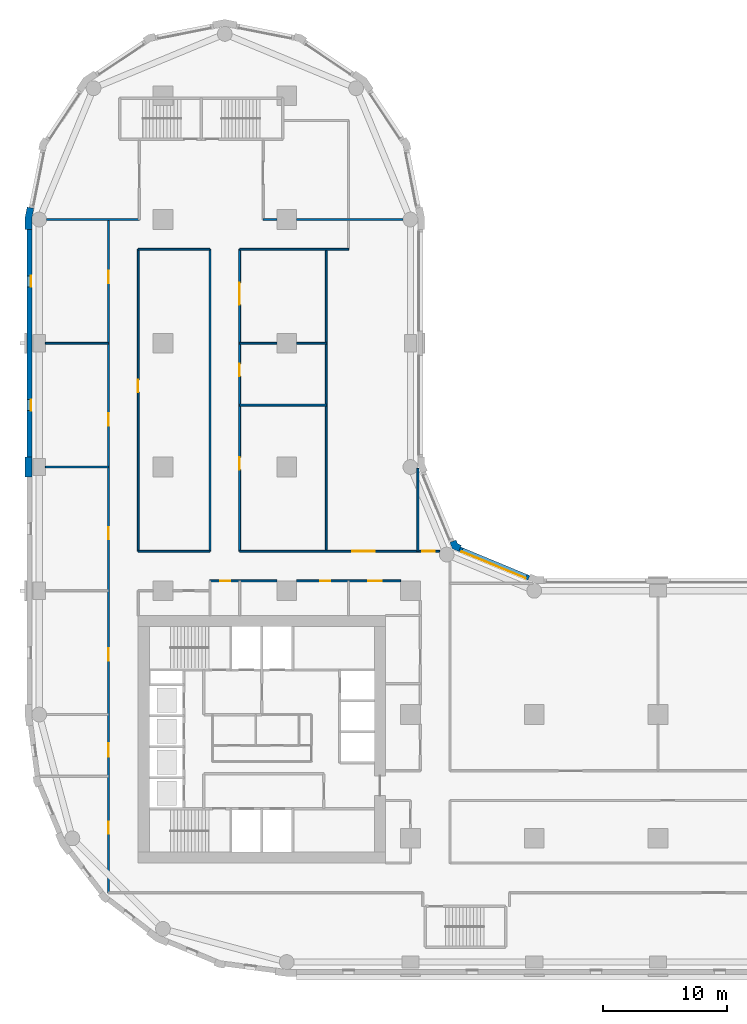
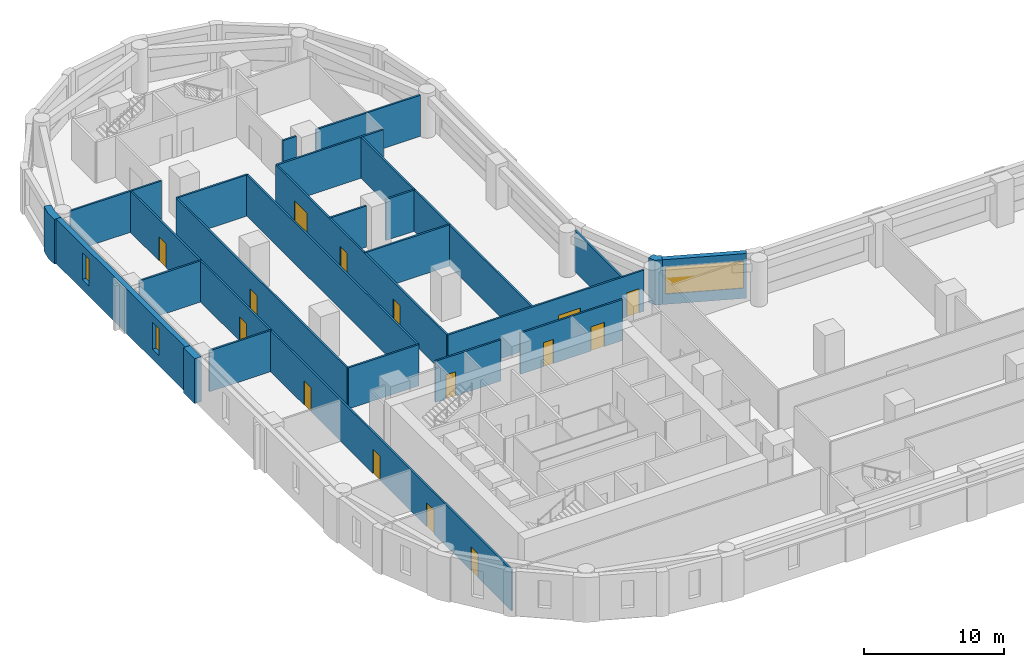
# One storey, part 5 of 10: 25 walls, 15 doors, 3 windows, 18 openings.
"""IFC4 building model written with IfcOpenShell, lengths in metres."""

from ifc_helpers import new_model, si_unit, direction, frame, frame_2d, origin, place, context, subcontext, project, spatial, polyline, rectangle, outline, extrude, material, layer, layer_set, type_object, element, fill, save


model = new_model("IFC4")

# Units and contexts
model_context = context("Model", 3, precision=1e-05, world=origin(), true_north=direction((0.0, 1.0)))
body_context = subcontext(model_context, "Body", "Model", "MODEL_VIEW")
ifc_project = project(units=[si_unit("LENGTHUNIT", "METRE"), si_unit("AREAUNIT", "SQUARE_METRE"), si_unit("VOLUMEUNIT", "CUBIC_METRE"), si_unit("PLANEANGLEUNIT", "RADIAN"), si_unit("MASSUNIT", "GRAM", prefix="KILO")], contexts=[model_context])

# Site, building, storey
site_placement = place(None, origin())
site = spatial("IfcSite", under=ifc_project, at=site_placement, CompositionType="ELEMENT")
building_placement = place(site_placement, origin())
building = spatial("IfcBuilding", under=site, at=building_placement, Name="Qaws Garden Tower", CompositionType="ELEMENT")
storey_placement = place(building_placement, frame((0.0, 0.0, 62.699951171875)))
storey = spatial("IfcBuildingStorey", under=building, at=storey_placement, Name="L15", CompositionType="ELEMENT", Elevation=62.699951171875)

# Wall, opening, window
ifc_material_1 = material(Name="Clay facing brick masonry", Category="masonry")
ifc_layer_1 = layer(ifc_material_1, 0.39990234375)
ifc_layer_set_1 = layer_set([ifc_layer_1], Name="Clay facing brick masonry")
wall_type_1 = type_object("IfcWallType", Name="Brick infill wall 400", PredefinedType="SOLIDWALL", material=ifc_layer_set_1)
wall_1_placement = place(storey_placement, frame((39.56689453125, 31.04541015625, 0.0), z_axis=(0.0, 0.0, 1.0), x_axis=(-0.923891000409, 0.382655745237, 0.0)))
wall_1 = element("IfcWall", 1, at=wall_1_placement, inside=storey, type_object=wall_type_1, Name="E-L15-infill-11", PredefinedType="SOLIDWALL", context=body_context, shape_type="SweptSolid", body=[
    extrude(rectangle(XDim=6.053466796875, YDim=0.39990234375, at=frame_2d((3.02685546875, 0.0))), origin(), (0.0, 0.0, 1.0), 3.900146484375),
])
opening_1_placement = place(wall_1_placement, frame((0.226806640625, 0.0, 0.89990234375)))
opening_1 = element("IfcOpeningElement", 2, at=opening_1_placement, cuts=wall_1, Name="Opening W04", PredefinedType="OPENING", context=body_context, shape_type="SweptSolid", body=[
    extrude(rectangle(XDim=5.60009765625, YDim=2.35009765625, at=frame_2d((2.800048828125, 1.175048828125))), frame((0.0, 0.2099609375, 0.0), z_axis=(0.0, -1.0, 0.0), x_axis=(1.0, 0.0, 0.0)), (0.0, 0.0, 1.0), 0.419921875),
])
ifc_material_2 = material(Name="Aluminium framed window, clear glazing", Category="aluminium")
window_type_1 = type_object("IfcWindowType", Name="Ribbon window 5600 x 2350", PartitioningType="DOUBLE_PANEL_VERTICAL", PredefinedType="WINDOW", material=ifc_material_2)
window_1_placement = place(opening_1_placement, origin())
window_1 = element("IfcWindow", 3, at=window_1_placement, inside=storey, type_object=window_type_1, Name="E-L15-window-11-0", OverallHeight=2.35009765625, OverallWidth=5.60009765625, PartitioningType="SINGLE_PANEL", PredefinedType="WINDOW", context=body_context, shape_type="SweptSolid", body=[
    extrude(rectangle(XDim=5.60009765625, YDim=2.35009765625, at=frame_2d((2.800048828125, 1.175048828125))), frame((0.0, 0.159912109375, 0.0), z_axis=(0.0, -1.0, 0.0), x_axis=(1.0, 0.0, 0.0)), (0.0, 0.0, 1.0), 0.06005859375),
])
fill(opening_1, window_1)

# Wall, openings, windows
wall_2_placement = place(storey_placement, frame((-0.800048828125, 59.199951171875, 0.0), z_axis=(0.0, 0.0, 1.0), x_axis=(0.0, -1.0, 0.0)))
wall_2 = element("IfcWall", 4, at=wall_2_placement, inside=storey, type_object=wall_type_1, Name="E-L15-infill-23", PredefinedType="SOLIDWALL", context=body_context, shape_type="SweptSolid", body=[
    extrude(rectangle(XDim=18.39990234375, YDim=0.39990234375, at=frame_2d((9.199951171875, 0.0))), origin(), (0.0, 0.0, 1.0), 3.900146484375),
])
opening_2_placement = place(wall_2_placement, frame((3.75, 0.0, 0.89990234375)))
opening_2 = element("IfcOpeningElement", 5, at=opening_2_placement, cuts=wall_2, Name="Opening W09", PredefinedType="OPENING", context=body_context, shape_type="SweptSolid", body=[
    extrude(rectangle(XDim=0.89990234375, YDim=2.35009765625, at=frame_2d((0.449951171875, 1.175048828125))), frame((0.0, 0.2099609375, 0.0), z_axis=(0.0, -1.0, 0.0), x_axis=(1.0, 0.0, 0.0)), (0.0, 0.0, 1.0), 0.419921875),
])
opening_3_placement = place(wall_2_placement, frame((13.75, 0.0, 0.89990234375)))
opening_3 = element("IfcOpeningElement", 6, at=opening_3_placement, cuts=wall_2, Name="Opening W09", PredefinedType="OPENING", context=body_context, shape_type="SweptSolid", body=[
    extrude(rectangle(XDim=0.89990234375, YDim=2.35009765625, at=frame_2d((0.449951171875, 1.175048828125))), frame((0.0, 0.2099609375, 0.0), z_axis=(0.0, -1.0, 0.0), x_axis=(1.0, 0.0, 0.0)), (0.0, 0.0, 1.0), 0.419921875),
])
ifc_material_3 = material(Name="Aluminium framed window, clear glazing", Category="aluminium")
window_type_2 = type_object("IfcWindowType", Name="Slit window 900 x 2350", PartitioningType="SINGLE_PANEL", PredefinedType="WINDOW", material=ifc_material_3)
window_2_placement = place(opening_2_placement, origin())
window_2 = element("IfcWindow", 7, at=window_2_placement, inside=storey, type_object=window_type_2, Name="E-L15-window-23-0", OverallHeight=2.35009765625, OverallWidth=0.89990234375, PartitioningType="SINGLE_PANEL", PredefinedType="WINDOW", context=body_context, shape_type="SweptSolid", body=[
    extrude(rectangle(XDim=0.89990234375, YDim=2.35009765625, at=frame_2d((0.449951171875, 1.175048828125))), frame((0.0, 0.159912109375, 0.0), z_axis=(0.0, -1.0, 0.0), x_axis=(1.0, 0.0, 0.0)), (0.0, 0.0, 1.0), 0.06005859375),
])
fill(opening_2, window_2)
window_3_placement = place(opening_3_placement, origin())
window_3 = element("IfcWindow", 8, at=window_3_placement, inside=storey, type_object=window_type_2, Name="E-L15-window-24-0", OverallHeight=2.35009765625, OverallWidth=0.89990234375, PartitioningType="SINGLE_PANEL", PredefinedType="WINDOW", context=body_context, shape_type="SweptSolid", body=[
    extrude(rectangle(XDim=0.89990234375, YDim=2.35009765625, at=frame_2d((0.449951171875, 1.175048828125))), frame((0.0, 0.159912109375, 0.0), z_axis=(0.0, -1.0, 0.0), x_axis=(1.0, 0.0, 0.0)), (0.0, 0.0, 1.0), 0.06005859375),
])
fill(opening_3, window_3)

# Walls
ifc_material_4 = material(Name="Clay facing brick masonry", Category="masonry")
ifc_layer_2 = layer(ifc_material_4, 0.550048828125)
ifc_layer_set_2 = layer_set([ifc_layer_2], Name="Clay facing brick masonry")
wall_type_2 = type_object("IfcWallType", Name="Brick pier 550 x 1600", PredefinedType="SOLIDWALL", material=ifc_layer_set_2)
placement = place(storey_placement, origin())
element("IfcWall", 9, at=placement, inside=storey, type_object=wall_type_2, Name="E-L15-pier-12", PredefinedType="SOLIDWALL", context=body_context, shape_type="SweptSolid", body=[
    extrude(outline(polyline([(34.05078125, 33.546630859375), (34.108154296875, 33.685302734375), (33.80908203125, 33.80908203125), (33.685302734375, 34.108154296875), (33.546630859375, 34.05078125), (33.177001953125, 33.897705078125), (33.38818359375, 33.38818359375), (33.897705078125, 33.177001953125), (34.05078125, 33.546630859375)])), origin(), (0.0, 0.0, 1.0), 3.900146484375),
])
element("IfcWall", 10, at=placement, inside=storey, type_object=wall_type_2, Name="E-L15-pier-23", PredefinedType="SOLIDWALL", context=body_context, shape_type="SweptSolid", body=[
    extrude(outline(polyline([(-0.82470703125, 60.979736328125), (-0.971923828125, 61.009033203125), (-1.14990234375, 60.11328125), (-1.14990234375, 59.199951171875), (-1.0, 59.199951171875), (-0.60009765625, 59.199951171875), (-0.60009765625, 60.05908203125), (-0.432373046875, 60.901611328125), (-0.82470703125, 60.979736328125)])), origin(), (0.0, 0.0, 1.0), 3.900146484375),
])
element("IfcWall", 11, at=placement, inside=storey, type_object=wall_type_2, Name="E-L15-pier-25", PredefinedType="SOLIDWALL", context=body_context, shape_type="SweptSolid", body=[
    extrude(outline(polyline([(-1.0, 40.800048828125), (-1.14990234375, 40.800048828125), (-1.14990234375, 40.0), (-1.14990234375, 39.199951171875), (-1.0, 39.199951171875), (-0.60009765625, 39.199951171875), (-0.60009765625, 40.0), (-0.60009765625, 40.800048828125), (-1.0, 40.800048828125)])), origin(), (0.0, 0.0, 1.0), 3.900146484375),
])

# Wall, openings, doors
ifc_material_5 = material(Name="Gypsum board partition")
ifc_layer_3 = layer(ifc_material_5, 0.14990234375)
ifc_layer_set_3 = layer_set([ifc_layer_3], Name="Gypsum board partition")
wall_type_3 = type_object("IfcWallType", Name="PARTITION 150 EI 60", PredefinedType="PARTITIONING", material=ifc_layer_set_3)
wall_6_placement = place(storey_placement, frame((5.60009765625, 5.60009765625, 0.0), z_axis=(0.0, 0.0, 1.0), x_axis=(0.0, 1.0, 0.0)))
wall_6 = element("IfcWall", 12, at=wall_6_placement, inside=storey, type_object=wall_type_3, Name="O-L15-wall-001", PredefinedType="PARTITIONING", context=body_context, shape_type="SweptSolid", body=[
    extrude(rectangle(XDim=54.39990234375, YDim=0.14990234375, at=frame_2d((27.199951171875, 0.0))), origin(), (0.0, 0.0, 1.0), 3.580078125),
])
opening_4_placement = place(wall_6_placement, frame((4.75, 0.0, 0.0)))
opening_4 = element("IfcOpeningElement", 13, at=opening_4_placement, cuts=wall_6, Name="Opening A501", PredefinedType="OPENING", context=body_context, shape_type="SweptSolid", body=[
    extrude(rectangle(XDim=1.0, YDim=2.10009765625, at=frame_2d((0.5, 1.050048828125))), frame((0.0, 0.0849609375, 0.0), z_axis=(0.0, -1.0, 0.0), x_axis=(1.0, 0.0, 0.0)), (0.0, 0.0, 1.0), 0.169921875),
])
opening_5_placement = place(wall_6_placement, frame((11.0, 0.0, 0.0)))
opening_5 = element("IfcOpeningElement", 14, at=opening_5_placement, cuts=wall_6, Name="Opening A502", PredefinedType="OPENING", context=body_context, shape_type="SweptSolid", body=[
    extrude(rectangle(XDim=1.10009765625, YDim=2.10009765625, at=frame_2d((0.550048828125, 1.050048828125))), frame((0.0, 0.0849609375, 0.0), z_axis=(0.0, -1.0, 0.0), x_axis=(1.0, 0.0, 0.0)), (0.0, 0.0, 1.0), 0.169921875),
])
opening_6_placement = place(wall_6_placement, frame((18.75, 0.0, 0.0)))
opening_6 = element("IfcOpeningElement", 15, at=opening_6_placement, cuts=wall_6, Name="Opening A513", PredefinedType="OPENING", context=body_context, shape_type="SweptSolid", body=[
    extrude(rectangle(XDim=1.0, YDim=2.10009765625, at=frame_2d((0.5, 1.050048828125))), frame((0.0, 0.0849609375, 0.0), z_axis=(0.0, -1.0, 0.0), x_axis=(1.0, 0.0, 0.0)), (0.0, 0.0, 1.0), 0.169921875),
])
opening_7_placement = place(wall_6_placement, frame((28.550048828125, 0.0, 0.0)))
opening_7 = element("IfcOpeningElement", 16, at=opening_7_placement, cuts=wall_6, Name="Opening A518", PredefinedType="OPENING", context=body_context, shape_type="SweptSolid", body=[
    extrude(rectangle(XDim=1.0, YDim=2.10009765625, at=frame_2d((0.5, 1.050048828125))), frame((0.0, 0.0849609375, 0.0), z_axis=(0.0, -1.0, 0.0), x_axis=(1.0, 0.0, 0.0)), (0.0, 0.0, 1.0), 0.169921875),
])
opening_8_placement = place(wall_6_placement, frame((37.75, 0.0, 0.0)))
opening_8 = element("IfcOpeningElement", 17, at=opening_8_placement, cuts=wall_6, Name="Opening A519", PredefinedType="OPENING", context=body_context, shape_type="SweptSolid", body=[
    extrude(rectangle(XDim=1.0, YDim=2.10009765625, at=frame_2d((0.5, 1.050048828125))), frame((0.0, 0.0849609375, 0.0), z_axis=(0.0, -1.0, 0.0), x_axis=(1.0, 0.0, 0.0)), (0.0, 0.0, 1.0), 0.169921875),
])
opening_9_placement = place(wall_6_placement, frame((49.25, 0.0, 0.0)))
opening_9 = element("IfcOpeningElement", 18, at=opening_9_placement, cuts=wall_6, Name="Opening A520", PredefinedType="OPENING", context=body_context, shape_type="SweptSolid", body=[
    extrude(rectangle(XDim=1.0, YDim=2.10009765625, at=frame_2d((0.5, 1.050048828125))), frame((0.0, 0.0849609375, 0.0), z_axis=(0.0, -1.0, 0.0), x_axis=(1.0, 0.0, 0.0)), (0.0, 0.0, 1.0), 0.169921875),
])
ifc_material_6 = material(Name="Timber door leaf", Category="wood")
door_type_1 = type_object("IfcDoorType", Name="SERVICE ROOM DOOR 1100 X 2100", OperationType="SINGLE_SWING_LEFT", PredefinedType="DOOR", material=ifc_material_6)
door_1_placement = place(opening_5_placement, origin())
door_1 = element("IfcDoor", 19, at=door_1_placement, inside=storey, type_object=door_type_1, Name="O-L15-door-002", OperationType="SINGLE_SWING_RIGHT", OverallHeight=2.10009765625, OverallWidth=1.10009765625, PredefinedType="DOOR", context=body_context, shape_type="SweptSolid", body=[
    extrude(rectangle(XDim=1.10009765625, YDim=2.10009765625, at=frame_2d((0.550048828125, 1.050048828125))), frame((0.0, 0.02490234375, 0.0), z_axis=(0.0, -1.0, 0.0), x_axis=(1.0, 0.0, 0.0)), (0.0, 0.0, 1.0), 0.050048828125),
])
fill(opening_5, door_1)
ifc_material_7 = material(Name="Timber door leaf", Category="wood")
door_type_2 = type_object("IfcDoorType", Name="TENANCY ENTRANCE DOOR 1000 X 2100", OperationType="SINGLE_SWING_LEFT", PredefinedType="DOOR", material=ifc_material_7)
door_2_placement = place(opening_4_placement, origin())
door_2 = element("IfcDoor", 20, at=door_2_placement, inside=storey, type_object=door_type_2, Name="O-L15-door-001", OperationType="SINGLE_SWING_RIGHT", OverallHeight=2.10009765625, OverallWidth=1.0, PredefinedType="DOOR", context=body_context, shape_type="SweptSolid", body=[
    extrude(rectangle(XDim=1.0, YDim=2.10009765625, at=frame_2d((0.5, 1.050048828125))), frame((0.0, 0.02490234375, 0.0), z_axis=(0.0, -1.0, 0.0), x_axis=(1.0, 0.0, 0.0)), (0.0, 0.0, 1.0), 0.050048828125),
])
fill(opening_4, door_2)
door_3_placement = place(opening_6_placement, origin())
door_3 = element("IfcDoor", 21, at=door_3_placement, inside=storey, type_object=door_type_2, Name="O-L15-door-013", OperationType="SINGLE_SWING_RIGHT", OverallHeight=2.10009765625, OverallWidth=1.0, PredefinedType="DOOR", context=body_context, shape_type="SweptSolid", body=[
    extrude(rectangle(XDim=1.0, YDim=2.10009765625, at=frame_2d((0.5, 1.050048828125))), frame((0.0, 0.02490234375, 0.0), z_axis=(0.0, -1.0, 0.0), x_axis=(1.0, 0.0, 0.0)), (0.0, 0.0, 1.0), 0.050048828125),
])
fill(opening_6, door_3)
door_4_placement = place(opening_7_placement, origin())
door_4 = element("IfcDoor", 22, at=door_4_placement, inside=storey, type_object=door_type_2, Name="O-L15-door-018", OperationType="SINGLE_SWING_RIGHT", OverallHeight=2.10009765625, OverallWidth=1.0, PredefinedType="DOOR", context=body_context, shape_type="SweptSolid", body=[
    extrude(rectangle(XDim=1.0, YDim=2.10009765625, at=frame_2d((0.5, 1.050048828125))), frame((0.0, 0.02490234375, 0.0), z_axis=(0.0, -1.0, 0.0), x_axis=(1.0, 0.0, 0.0)), (0.0, 0.0, 1.0), 0.050048828125),
])
fill(opening_7, door_4)
door_5_placement = place(opening_8_placement, origin())
door_5 = element("IfcDoor", 23, at=door_5_placement, inside=storey, type_object=door_type_2, Name="O-L15-door-019", OperationType="SINGLE_SWING_LEFT", OverallHeight=2.10009765625, OverallWidth=1.0, PredefinedType="DOOR", context=body_context, shape_type="SweptSolid", body=[
    extrude(rectangle(XDim=1.0, YDim=2.10009765625, at=frame_2d((0.5, 1.050048828125))), frame((0.0, 0.02490234375, 0.0), z_axis=(0.0, -1.0, 0.0), x_axis=(1.0, 0.0, 0.0)), (0.0, 0.0, 1.0), 0.050048828125),
])
fill(opening_8, door_5)
door_6_placement = place(opening_9_placement, origin())
door_6 = element("IfcDoor", 24, at=door_6_placement, inside=storey, type_object=door_type_2, Name="O-L15-door-020", OperationType="SINGLE_SWING_LEFT", OverallHeight=2.10009765625, OverallWidth=1.0, PredefinedType="DOOR", context=body_context, shape_type="SweptSolid", body=[
    extrude(rectangle(XDim=1.0, YDim=2.10009765625, at=frame_2d((0.5, 1.050048828125))), frame((0.0, 0.02490234375, 0.0), z_axis=(0.0, -1.0, 0.0), x_axis=(1.0, 0.0, 0.0)), (0.0, 0.0, 1.0), 0.050048828125),
])
fill(opening_9, door_6)

# Wall, opening, door
wall_7_placement = place(storey_placement, frame((8.0, 33.199951171875, 0.0), z_axis=(0.0, 0.0, 1.0), x_axis=(0.0, 1.0, 0.0)))
wall_7 = element("IfcWall", 25, at=wall_7_placement, inside=storey, type_object=wall_type_3, Name="O-L15-wall-003", PredefinedType="PARTITIONING", context=body_context, shape_type="SweptSolid", body=[
    extrude(rectangle(XDim=24.400146484375, YDim=0.14990234375, at=frame_2d((12.2001953125, 0.0))), origin(), (0.0, 0.0, 1.0), 3.580078125),
])
opening_10_placement = place(wall_7_placement, frame((12.85009765625, 0.0, 0.0)))
opening_10 = element("IfcOpeningElement", 26, at=opening_10_placement, cuts=wall_7, Name="Opening A508", PredefinedType="OPENING", context=body_context, shape_type="SweptSolid", body=[
    extrude(rectangle(XDim=1.0, YDim=2.10009765625, at=frame_2d((0.5, 1.050048828125))), frame((0.0, 0.0849609375, 0.0), z_axis=(0.0, -1.0, 0.0), x_axis=(1.0, 0.0, 0.0)), (0.0, 0.0, 1.0), 0.169921875),
])
door_7_placement = place(opening_10_placement, frame((1.0, 0.0, 0.0), z_axis=(0.0, 0.0, 1.0), x_axis=(-1.0, 0.0, 0.0)))
door_7 = element("IfcDoor", 27, at=door_7_placement, inside=storey, type_object=door_type_2, Name="O-L15-door-008", OperationType="SINGLE_SWING_RIGHT", OverallHeight=2.10009765625, OverallWidth=1.0, PredefinedType="DOOR", context=body_context, shape_type="SweptSolid", body=[
    extrude(rectangle(XDim=1.0, YDim=2.10009765625, at=frame_2d((0.5, 1.050048828125))), frame((0.0, 0.02490234375, 0.0), z_axis=(0.0, -1.0, 0.0), x_axis=(1.0, 0.0, 0.0)), (0.0, 0.0, 1.0), 0.050048828125),
])
fill(opening_10, door_7)

# Wall
wall_8_placement = place(storey_placement, frame((13.800048828125, 33.199951171875, 0.0), z_axis=(0.0, 0.0, 1.0), x_axis=(0.0, 1.0, 0.0)))
element("IfcWall", 28, at=wall_8_placement, inside=storey, type_object=wall_type_3, Name="O-L15-wall-006", PredefinedType="PARTITIONING", context=body_context, shape_type="SweptSolid", body=[
    extrude(rectangle(XDim=24.400146484375, YDim=0.14990234375, at=frame_2d((12.2001953125, 0.0))), origin(), (0.0, 0.0, 1.0), 3.580078125),
])

# Wall, openings, doors
wall_9_placement = place(storey_placement, frame((16.199951171875, 33.199951171875, 0.0), z_axis=(0.0, 0.0, 1.0), x_axis=(0.0, 1.0, 0.0)))
wall_9 = element("IfcWall", 29, at=wall_9_placement, inside=storey, type_object=wall_type_3, Name="O-L15-wall-008", PredefinedType="PARTITIONING", context=body_context, shape_type="SweptSolid", body=[
    extrude(rectangle(XDim=24.400146484375, YDim=0.14990234375, at=frame_2d((12.2001953125, 0.0))), origin(), (0.0, 0.0, 1.0), 3.580078125),
])
opening_11_placement = place(wall_9_placement, frame((6.60009765625, 0.0, 0.0)))
opening_11 = element("IfcOpeningElement", 30, at=opening_11_placement, cuts=wall_9, Name="Opening A509", PredefinedType="OPENING", context=body_context, shape_type="SweptSolid", body=[
    extrude(rectangle(XDim=1.0, YDim=2.10009765625, at=frame_2d((0.5, 1.050048828125))), frame((0.0, 0.0849609375, 0.0), z_axis=(0.0, -1.0, 0.0), x_axis=(1.0, 0.0, 0.0)), (0.0, 0.0, 1.0), 0.169921875),
])
opening_12_placement = place(wall_9_placement, frame((14.14990234375, 0.0, 0.0)))
opening_12 = element("IfcOpeningElement", 31, at=opening_12_placement, cuts=wall_9, Name="Opening A510", PredefinedType="OPENING", context=body_context, shape_type="SweptSolid", body=[
    extrude(rectangle(XDim=1.0, YDim=2.10009765625, at=frame_2d((0.5, 1.050048828125))), frame((0.0, 0.0849609375, 0.0), z_axis=(0.0, -1.0, 0.0), x_axis=(1.0, 0.0, 0.0)), (0.0, 0.0, 1.0), 0.169921875),
])
opening_13_placement = place(wall_9_placement, frame((19.89990234375, 0.0, 0.0)))
opening_13 = element("IfcOpeningElement", 32, at=opening_13_placement, cuts=wall_9, Name="Opening A511", PredefinedType="OPENING", context=body_context, shape_type="SweptSolid", body=[
    extrude(rectangle(XDim=1.800048828125, YDim=2.10009765625, at=frame_2d((0.89990234375, 1.050048828125))), frame((0.0, 0.0849609375, 0.0), z_axis=(0.0, -1.0, 0.0), x_axis=(1.0, 0.0, 0.0)), (0.0, 0.0, 1.0), 0.169921875),
])
ifc_material_8 = material(Name="Timber door leaf", Category="wood")
door_type_3 = type_object("IfcDoorType", Name="DOUBLE DOOR 1800 X 2100", OperationType="DOUBLE_DOOR_SINGLE_SWING", PredefinedType="DOOR", material=ifc_material_8)
door_8_placement = place(opening_13_placement, frame((1.800048828125, 0.0, 0.0), z_axis=(0.0, 0.0, 1.0), x_axis=(-1.0, 0.0, 0.0)))
door_8 = element("IfcDoor", 33, at=door_8_placement, inside=storey, type_object=door_type_3, Name="O-L15-door-011", OperationType="DOUBLE_DOOR_SINGLE_SWING", OverallHeight=2.10009765625, OverallWidth=1.800048828125, PredefinedType="DOOR", context=body_context, shape_type="SweptSolid", body=[
    extrude(rectangle(XDim=1.800048828125, YDim=2.10009765625, at=frame_2d((0.89990234375, 1.050048828125))), frame((0.0, 0.02490234375, 0.0), z_axis=(0.0, -1.0, 0.0), x_axis=(1.0, 0.0, 0.0)), (0.0, 0.0, 1.0), 0.050048828125),
])
fill(opening_13, door_8)
door_9_placement = place(opening_11_placement, frame((1.0, 0.0, 0.0), z_axis=(0.0, 0.0, 1.0), x_axis=(-1.0, 0.0, 0.0)))
door_9 = element("IfcDoor", 34, at=door_9_placement, inside=storey, type_object=door_type_2, Name="O-L15-door-009", OperationType="SINGLE_SWING_RIGHT", OverallHeight=2.10009765625, OverallWidth=1.0, PredefinedType="DOOR", context=body_context, shape_type="SweptSolid", body=[
    extrude(rectangle(XDim=1.0, YDim=2.10009765625, at=frame_2d((0.5, 1.050048828125))), frame((0.0, 0.02490234375, 0.0), z_axis=(0.0, -1.0, 0.0), x_axis=(1.0, 0.0, 0.0)), (0.0, 0.0, 1.0), 0.050048828125),
])
fill(opening_11, door_9)
door_10_placement = place(opening_12_placement, frame((1.0, 0.0, 0.0), z_axis=(0.0, 0.0, 1.0), x_axis=(-1.0, 0.0, 0.0)))
door_10 = element("IfcDoor", 35, at=door_10_placement, inside=storey, type_object=door_type_2, Name="O-L15-door-010", OperationType="SINGLE_SWING_RIGHT", OverallHeight=2.10009765625, OverallWidth=1.0, PredefinedType="DOOR", context=body_context, shape_type="SweptSolid", body=[
    extrude(rectangle(XDim=1.0, YDim=2.10009765625, at=frame_2d((0.5, 1.050048828125))), frame((0.0, 0.02490234375, 0.0), z_axis=(0.0, -1.0, 0.0), x_axis=(1.0, 0.0, 0.0)), (0.0, 0.0, 1.0), 0.050048828125),
])
fill(opening_12, door_10)

# Walls
wall_10_placement = place(storey_placement, frame((23.199951171875, 33.199951171875, 0.0), z_axis=(0.0, 0.0, 1.0), x_axis=(0.0, 1.0, 0.0)))
element("IfcWall", 36, at=wall_10_placement, inside=storey, type_object=wall_type_3, Name="O-L15-wall-010", PredefinedType="PARTITIONING", context=body_context, shape_type="SweptSolid", body=[
    extrude(rectangle(XDim=24.400146484375, YDim=0.14990234375, at=frame_2d((12.2001953125, 0.0))), origin(), (0.0, 0.0, 1.0), 3.580078125),
])
wall_11_placement = place(storey_placement, frame((30.60009765625, 33.199951171875, 0.0), z_axis=(0.0, 0.0, 1.0), x_axis=(0.0, 1.0, 0.0)))
element("IfcWall", 37, at=wall_11_placement, inside=storey, type_object=wall_type_3, Name="O-L15-wall-015", PredefinedType="PARTITIONING", context=body_context, shape_type="SweptSolid", body=[
    extrude(rectangle(XDim=6.698974609375, YDim=0.14990234375, at=frame_2d((3.349609375, 0.0))), origin(), (0.0, 0.0, 1.0), 3.580078125),
])

# Wall, opening, door
wall_12_placement = place(storey_placement, frame((13.800048828125, 30.800048828125, 0.0), z_axis=(0.0, 0.0, 1.0), x_axis=(1.0, 0.0, 0.0)))
wall_12 = element("IfcWall", 38, at=wall_12_placement, inside=storey, type_object=wall_type_3, Name="O-L15-wall-042", PredefinedType="PARTITIONING", context=body_context, shape_type="SweptSolid", body=[
    extrude(rectangle(XDim=5.39990234375, YDim=0.14990234375, at=frame_2d((2.699951171875, 0.0))), origin(), (0.0, 0.0, 1.0), 3.580078125),
])
opening_14_placement = place(wall_12_placement, frame((0.85009765625, 0.0, 0.0)))
opening_14 = element("IfcOpeningElement", 39, at=opening_14_placement, cuts=wall_12, Name="Opening A517", PredefinedType="OPENING", context=body_context, shape_type="SweptSolid", body=[
    extrude(rectangle(XDim=0.800048828125, YDim=2.10009765625, at=frame_2d((0.39990234375, 1.050048828125))), frame((0.0, 0.0849609375, 0.0), z_axis=(0.0, -1.0, 0.0), x_axis=(1.0, 0.0, 0.0)), (0.0, 0.0, 1.0), 0.169921875),
])
ifc_material_9 = material(Name="Timber door leaf", Category="wood")
door_type_4 = type_object("IfcDoorType", Name="STORE DOOR 800 X 2100", OperationType="SINGLE_SWING_LEFT", PredefinedType="DOOR", material=ifc_material_9)
door_11_placement = place(opening_14_placement, frame((0.800048828125, 0.0, 0.0), z_axis=(0.0, 0.0, 1.0), x_axis=(-1.0, 0.0, 0.0)))
door_11 = element("IfcDoor", 40, at=door_11_placement, inside=storey, type_object=door_type_4, Name="O-L15-door-017", OperationType="SINGLE_SWING_LEFT", OverallHeight=2.10009765625, OverallWidth=0.800048828125, PredefinedType="DOOR", context=body_context, shape_type="SweptSolid", body=[
    extrude(rectangle(XDim=0.800048828125, YDim=2.10009765625, at=frame_2d((0.39990234375, 1.050048828125))), frame((0.0, 0.02490234375, 0.0), z_axis=(0.0, -1.0, 0.0), x_axis=(1.0, 0.0, 0.0)), (0.0, 0.0, 1.0), 0.050048828125),
])
fill(opening_14, door_11)

# Wall, openings, doors
wall_13_placement = place(storey_placement, frame((20.800048828125, 30.800048828125, 0.0), z_axis=(0.0, 0.0, 1.0), x_axis=(1.0, 0.0, 0.0)))
wall_13 = element("IfcWall", 41, at=wall_13_placement, inside=storey, type_object=wall_type_3, Name="O-L15-wall-043", PredefinedType="PARTITIONING", context=body_context, shape_type="SweptSolid", body=[
    extrude(rectangle(XDim=8.39990234375, YDim=0.14990234375, at=frame_2d((4.199951171875, 0.0))), origin(), (0.0, 0.0, 1.0), 3.580078125),
])
opening_15_placement = place(wall_13_placement, frame((1.89990234375, 0.0, 0.0)))
opening_15 = element("IfcOpeningElement", 42, at=opening_15_placement, cuts=wall_13, Name="Opening A506", PredefinedType="OPENING", context=body_context, shape_type="SweptSolid", body=[
    extrude(rectangle(XDim=0.800048828125, YDim=2.10009765625, at=frame_2d((0.39990234375, 1.050048828125))), frame((0.0, 0.0849609375, 0.0), z_axis=(0.0, -1.0, 0.0), x_axis=(1.0, 0.0, 0.0)), (0.0, 0.0, 1.0), 0.169921875),
])
opening_16_placement = place(wall_13_placement, frame((5.800048828125, 0.0, 0.0)))
opening_16 = element("IfcOpeningElement", 43, at=opening_16_placement, cuts=wall_13, Name="Opening A507", PredefinedType="OPENING", context=body_context, shape_type="SweptSolid", body=[
    extrude(rectangle(XDim=1.10009765625, YDim=2.10009765625, at=frame_2d((0.550048828125, 1.050048828125))), frame((0.0, 0.0849609375, 0.0), z_axis=(0.0, -1.0, 0.0), x_axis=(1.0, 0.0, 0.0)), (0.0, 0.0, 1.0), 0.169921875),
])
door_12_placement = place(opening_16_placement, frame((1.10009765625, 0.0, 0.0), z_axis=(0.0, 0.0, 1.0), x_axis=(-1.0, 0.0, 0.0)))
door_12 = element("IfcDoor", 44, at=door_12_placement, inside=storey, type_object=door_type_1, Name="O-L15-door-007", OperationType="SINGLE_SWING_LEFT", OverallHeight=2.10009765625, OverallWidth=1.10009765625, PredefinedType="DOOR", context=body_context, shape_type="SweptSolid", body=[
    extrude(rectangle(XDim=1.10009765625, YDim=2.10009765625, at=frame_2d((0.550048828125, 1.050048828125))), frame((0.0, 0.02490234375, 0.0), z_axis=(0.0, -1.0, 0.0), x_axis=(1.0, 0.0, 0.0)), (0.0, 0.0, 1.0), 0.050048828125),
])
fill(opening_16, door_12)
door_13_placement = place(opening_15_placement, frame((0.800048828125, 0.0, 0.0), z_axis=(0.0, 0.0, 1.0), x_axis=(-1.0, 0.0, 0.0)))
door_13 = element("IfcDoor", 45, at=door_13_placement, inside=storey, type_object=door_type_4, Name="O-L15-door-006", OperationType="SINGLE_SWING_LEFT", OverallHeight=2.10009765625, OverallWidth=0.800048828125, PredefinedType="DOOR", context=body_context, shape_type="SweptSolid", body=[
    extrude(rectangle(XDim=0.800048828125, YDim=2.10009765625, at=frame_2d((0.39990234375, 1.050048828125))), frame((0.0, 0.02490234375, 0.0), z_axis=(0.0, -1.0, 0.0), x_axis=(1.0, 0.0, 0.0)), (0.0, 0.0, 1.0), 0.050048828125),
])
fill(opening_15, door_13)

# Wall
wall_14_placement = place(storey_placement, frame((8.0, 33.199951171875, 0.0), z_axis=(0.0, 0.0, 1.0), x_axis=(1.0, 0.0, 0.0)))
element("IfcWall", 46, at=wall_14_placement, inside=storey, type_object=wall_type_3, Name="O-L15-wall-044", PredefinedType="PARTITIONING", context=body_context, shape_type="SweptSolid", body=[
    extrude(rectangle(XDim=5.800048828125, YDim=0.14990234375, at=frame_2d((2.89990234375, 0.0))), origin(), (0.0, 0.0, 1.0), 3.580078125),
])

# Wall, openings, doors
wall_15_placement = place(storey_placement, frame((16.199951171875, 33.199951171875, 0.0), z_axis=(0.0, 0.0, 1.0), x_axis=(1.0, 0.0, 0.0)))
wall_15 = element("IfcWall", 47, at=wall_15_placement, inside=storey, type_object=wall_type_3, Name="O-L15-wall-045", PredefinedType="PARTITIONING", context=body_context, shape_type="SweptSolid", body=[
    extrude(rectangle(XDim=16.162109375, YDim=0.14990234375, at=frame_2d((8.0810546875, 0.0))), origin(), (0.0, 0.0, 1.0), 3.580078125),
])
opening_17_placement = place(wall_15_placement, frame((9.10009765625, 0.0, 0.0)))
opening_17 = element("IfcOpeningElement", 48, at=opening_17_placement, cuts=wall_15, Name="Opening A512", PredefinedType="OPENING", context=body_context, shape_type="SweptSolid", body=[
    extrude(rectangle(XDim=1.800048828125, YDim=2.10009765625, at=frame_2d((0.89990234375, 1.050048828125))), frame((0.0, 0.0849609375, 0.0), z_axis=(0.0, -1.0, 0.0), x_axis=(1.0, 0.0, 0.0)), (0.0, 0.0, 1.0), 0.169921875),
])
opening_18_placement = place(wall_15_placement, frame((14.75, 0.0, 0.0)))
opening_18 = element("IfcOpeningElement", 49, at=opening_18_placement, cuts=wall_15, Name="Opening A516", PredefinedType="OPENING", context=body_context, shape_type="SweptSolid", body=[
    extrude(rectangle(XDim=1.0, YDim=2.10009765625, at=frame_2d((0.5, 1.050048828125))), frame((0.0, 0.0849609375, 0.0), z_axis=(0.0, -1.0, 0.0), x_axis=(1.0, 0.0, 0.0)), (0.0, 0.0, 1.0), 0.169921875),
])
door_14_placement = place(opening_17_placement, origin())
door_14 = element("IfcDoor", 50, at=door_14_placement, inside=storey, type_object=door_type_3, Name="O-L15-door-012", OperationType="DOUBLE_DOOR_SINGLE_SWING", OverallHeight=2.10009765625, OverallWidth=1.800048828125, PredefinedType="DOOR", context=body_context, shape_type="SweptSolid", body=[
    extrude(rectangle(XDim=1.800048828125, YDim=2.10009765625, at=frame_2d((0.89990234375, 1.050048828125))), frame((0.0, 0.02490234375, 0.0), z_axis=(0.0, -1.0, 0.0), x_axis=(1.0, 0.0, 0.0)), (0.0, 0.0, 1.0), 0.050048828125),
])
fill(opening_17, door_14)
door_15_placement = place(opening_18_placement, origin())
door_15 = element("IfcDoor", 51, at=door_15_placement, inside=storey, type_object=door_type_2, Name="O-L15-door-016", OperationType="SINGLE_SWING_LEFT", OverallHeight=2.10009765625, OverallWidth=1.0, PredefinedType="DOOR", context=body_context, shape_type="SweptSolid", body=[
    extrude(rectangle(XDim=1.0, YDim=2.10009765625, at=frame_2d((0.5, 1.050048828125))), frame((0.0, 0.02490234375, 0.0), z_axis=(0.0, -1.0, 0.0), x_axis=(1.0, 0.0, 0.0)), (0.0, 0.0, 1.0), 0.050048828125),
])
fill(opening_18, door_15)

# Walls
wall_16_placement = place(storey_placement, frame((0.5, 40.0, 0.0), z_axis=(0.0, 0.0, 1.0), x_axis=(1.0, 0.0, 0.0)))
element("IfcWall", 52, at=wall_16_placement, inside=storey, type_object=wall_type_3, Name="O-L15-wall-046", PredefinedType="PARTITIONING", context=body_context, shape_type="SweptSolid", body=[
    extrude(rectangle(XDim=5.10009765625, YDim=0.14990234375, at=frame_2d((2.550048828125, 0.0))), origin(), (0.0, 0.0, 1.0), 3.580078125),
])
wall_17_placement = place(storey_placement, frame((16.199951171875, 45.0, 0.0), z_axis=(0.0, 0.0, 1.0), x_axis=(1.0, 0.0, 0.0)))
element("IfcWall", 53, at=wall_17_placement, inside=storey, type_object=wall_type_3, Name="O-L15-wall-047", PredefinedType="PARTITIONING", context=body_context, shape_type="SweptSolid", body=[
    extrude(rectangle(XDim=7.0, YDim=0.14990234375, at=frame_2d((3.5, 0.0))), origin(), (0.0, 0.0, 1.0), 3.580078125),
])
wall_18_placement = place(storey_placement, frame((0.5, 50.0, 0.0), z_axis=(0.0, 0.0, 1.0), x_axis=(1.0, 0.0, 0.0)))
element("IfcWall", 54, at=wall_18_placement, inside=storey, type_object=wall_type_3, Name="O-L15-wall-048", PredefinedType="PARTITIONING", context=body_context, shape_type="SweptSolid", body=[
    extrude(rectangle(XDim=5.10009765625, YDim=0.14990234375, at=frame_2d((2.550048828125, 0.0))), origin(), (0.0, 0.0, 1.0), 3.580078125),
])
wall_19_placement = place(storey_placement, frame((16.199951171875, 50.0, 0.0), z_axis=(0.0, 0.0, 1.0), x_axis=(1.0, 0.0, 0.0)))
element("IfcWall", 55, at=wall_19_placement, inside=storey, type_object=wall_type_3, Name="O-L15-wall-049", PredefinedType="PARTITIONING", context=body_context, shape_type="SweptSolid", body=[
    extrude(rectangle(XDim=3.0, YDim=0.14990234375, at=frame_2d((1.5, 0.0))), origin(), (0.0, 0.0, 1.0), 3.580078125),
])
wall_20_placement = place(storey_placement, frame((20.800048828125, 50.0, 0.0), z_axis=(0.0, 0.0, 1.0), x_axis=(1.0, 0.0, 0.0)))
element("IfcWall", 56, at=wall_20_placement, inside=storey, type_object=wall_type_3, Name="O-L15-wall-050", PredefinedType="PARTITIONING", context=body_context, shape_type="SweptSolid", body=[
    extrude(rectangle(XDim=2.39990234375, YDim=0.14990234375, at=frame_2d((1.199951171875, 0.0))), origin(), (0.0, 0.0, 1.0), 3.580078125),
])
wall_21_placement = place(storey_placement, frame((8.0, 57.60009765625, 0.0), z_axis=(0.0, 0.0, 1.0), x_axis=(1.0, 0.0, 0.0)))
element("IfcWall", 57, at=wall_21_placement, inside=storey, type_object=wall_type_3, Name="O-L15-wall-051", PredefinedType="PARTITIONING", context=body_context, shape_type="SweptSolid", body=[
    extrude(rectangle(XDim=5.800048828125, YDim=0.14990234375, at=frame_2d((2.89990234375, 0.0))), origin(), (0.0, 0.0, 1.0), 3.580078125),
])
wall_22_placement = place(storey_placement, frame((16.199951171875, 57.60009765625, 0.0), z_axis=(0.0, 0.0, 1.0), x_axis=(1.0, 0.0, 0.0)))
element("IfcWall", 58, at=wall_22_placement, inside=storey, type_object=wall_type_3, Name="O-L15-wall-052", PredefinedType="PARTITIONING", context=body_context, shape_type="SweptSolid", body=[
    extrude(rectangle(XDim=8.800048828125, YDim=0.14990234375, at=frame_2d((4.39990234375, 0.0))), origin(), (0.0, 0.0, 1.0), 3.580078125),
])
wall_23_placement = place(storey_placement, frame((0.60009765625, 60.0, 0.0), z_axis=(0.0, 0.0, 1.0), x_axis=(1.0, 0.0, 0.0)))
element("IfcWall", 59, at=wall_23_placement, inside=storey, type_object=wall_type_3, Name="O-L15-wall-053", PredefinedType="PARTITIONING", context=body_context, shape_type="SweptSolid", body=[
    extrude(rectangle(XDim=7.5, YDim=0.14990234375, at=frame_2d((3.75, 0.0))), origin(), (0.0, 0.0, 1.0), 3.580078125),
])
wall_24_placement = place(storey_placement, frame((18.10009765625, 60.0, 0.0), z_axis=(0.0, 0.0, 1.0), x_axis=(1.0, 0.0, 0.0)))
element("IfcWall", 60, at=wall_24_placement, inside=storey, type_object=wall_type_3, Name="O-L15-wall-054", PredefinedType="PARTITIONING", context=body_context, shape_type="SweptSolid", body=[
    extrude(rectangle(XDim=1.099853515625, YDim=0.14990234375, at=frame_2d((0.5498046875, 0.0))), origin(), (0.0, 0.0, 1.0), 3.580078125),
])
wall_25_placement = place(storey_placement, frame((20.800048828125, 60.0, 0.0), z_axis=(0.0, 0.0, 1.0), x_axis=(1.0, 0.0, 0.0)))
element("IfcWall", 61, at=wall_25_placement, inside=storey, type_object=wall_type_3, Name="O-L15-wall-055", PredefinedType="PARTITIONING", context=body_context, shape_type="SweptSolid", body=[
    extrude(rectangle(XDim=8.599853515625, YDim=0.14990234375, at=frame_2d((4.2998046875, 0.0))), origin(), (0.0, 0.0, 1.0), 3.580078125),
])

save(model, "model.ifc")
